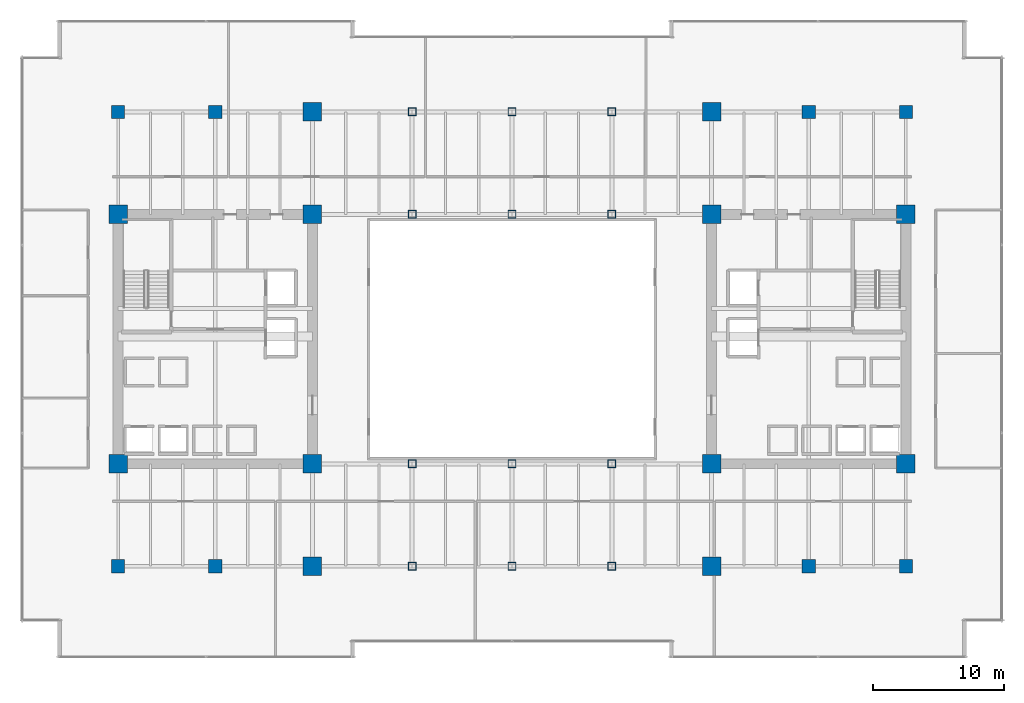
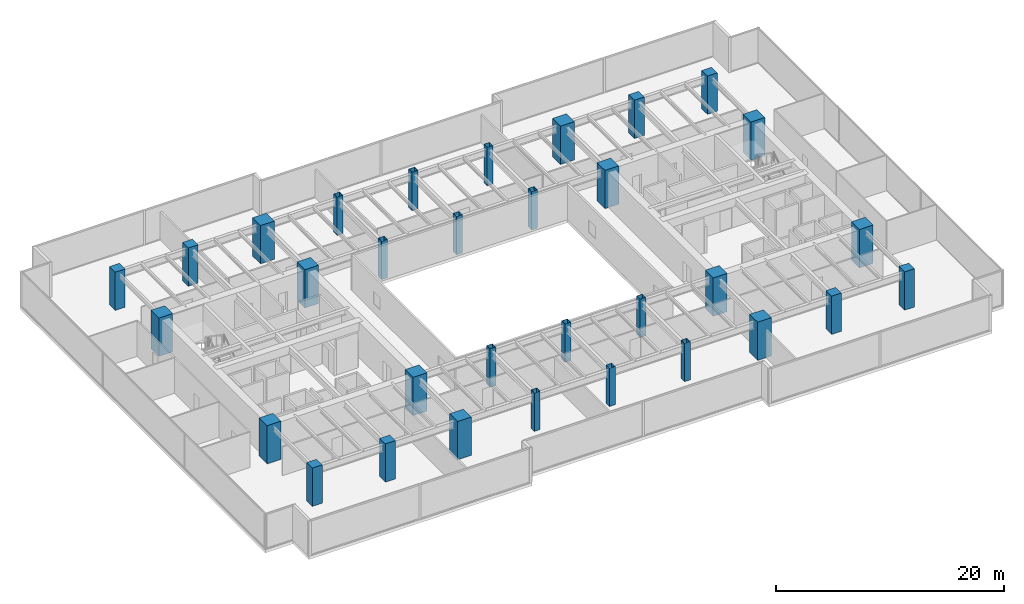
# One storey, part 1 of 35: 32 columns.
"""IFC4 building model written with IfcOpenShell, lengths in metres."""

from ifc_helpers import new_model, si_unit, direction, frame, origin, origin_2d, place, context, subcontext, project, spatial, rectangle, hollow_rectangle, extrude, source, transform, mapped, material, material_profile, profile_set, type_object, type_shapes, element, save


model = new_model("IFC4")

# Units and contexts
model_context = context("Model", 3, precision=1e-05, world=origin(), true_north=direction((0.0, 1.0)))
body_context = subcontext(model_context, "Body", "Model", "MODEL_VIEW")
ifc_project = project(units=[si_unit("LENGTHUNIT", "METRE"), si_unit("AREAUNIT", "SQUARE_METRE"), si_unit("VOLUMEUNIT", "CUBIC_METRE"), si_unit("PLANEANGLEUNIT", "RADIAN"), si_unit("MASSUNIT", "GRAM", prefix="KILO")], contexts=[model_context])

# Site, building, storey
site_placement = place(None, origin())
site = spatial("IfcSite", under=ifc_project, at=site_placement, CompositionType="ELEMENT")
building_placement = place(site_placement, origin())
building = spatial("IfcBuilding", under=site, at=building_placement, Name="Haelvirn Gate Laboratories", CompositionType="ELEMENT")
storey_placement = place(building_placement, frame((0.0, 0.0, 37.5)))
storey = spatial("IfcBuildingStorey", under=building, at=storey_placement, Name="L09", CompositionType="ELEMENT", Elevation=37.5)

# Columns
ifc_material_1 = material(Name="Concrete C60/75", Category="concrete")
ifc_material_profile_1 = material_profile(ifc_material_1, rectangle(XDim=1.0, YDim=1.0, at=origin_2d()), Name="RC-1000x1000")
ifc_profile_set_1 = profile_set([ifc_material_profile_1], Name="Concrete C60/75")
column_type_1 = type_object("IfcColumnType", Name="COL-RC-1000", PredefinedType="COLUMN", material=ifc_profile_set_1)
shared_shape_1 = source(origin(), body_context, "Body", "SweptSolid", [
    extrude(rectangle(XDim=1.0, YDim=1.0, at=origin_2d()), origin(), (0.0, 0.0, 1.0), 4.10009765625),
])
type_shapes(column_type_1, [shared_shape_1])
for number, where, z_axis, x_axis, name in (
    (1, (14.800048828125, 7.0, 0.0), (0.0, 0.0, 1.0), (1.0, 0.0, 0.0), "L09 Column 3B"),
    (2, (14.800048828125, 41.60009765625, 0.0), (0.0, 0.0, 1.0), (1.0, 0.0, 0.0), "L09 Column 3G"),
    (3, (60.0, 7.0, 0.0), (0.0, 0.0, 1.0), (1.0, 0.0, 0.0), "L09 Column 9B"),
    (4, (60.0, 41.60009765625, 0.0), (0.0, 0.0, 1.0), (1.0, 0.0, 0.0), "L09 Column 9G"),
    (5, (7.39990234375, 7.0, 0.0), (0.0, 0.0, 1.0), (1.0, 0.0, 0.0), "L09 Column 2B"),
    (6, (7.39990234375, 41.60009765625, 0.0), (0.0, 0.0, 1.0), (1.0, 0.0, 0.0), "L09 Column 2G"),
    (7, (67.39990234375, 7.0, 0.0), (0.0, 0.0, 1.0), (1.0, 0.0, 0.0), "L09 Column 10B"),
    (8, (67.39990234375, 41.60009765625, 0.0), (0.0, 0.0, 1.0), (1.0, 0.0, 0.0), "L09 Column 10G"),
):
    element("IfcColumn", number, at=place(storey_placement, frame(where, z_axis=z_axis, x_axis=x_axis)), inside=storey, type_object=column_type_1, Name=name, PredefinedType="COLUMN", context=body_context, shape_type="MappedRepresentation", body=[
        mapped(shared_shape_1, transform((0.0, 0.0, 0.0), scale=1.0)),
    ])
ifc_material_2 = material(Name="Concrete C70/85", Category="concrete")
ifc_material_profile_2 = material_profile(ifc_material_2, rectangle(XDim=1.39990234375, YDim=1.39990234375, at=origin_2d()), Name="SRC-1400x1400")
ifc_profile_set_2 = profile_set([ifc_material_profile_2], Name="Concrete C70/85")
column_type_2 = type_object("IfcColumnType", Name="COL-SRC-1400", PredefinedType="COLUMN", material=ifc_profile_set_2)
shared_shape_2 = source(origin(), body_context, "Body", "SweptSolid", [
    extrude(rectangle(XDim=1.39990234375, YDim=1.39990234375, at=origin_2d()), origin(), (0.0, 0.0, 1.0), 4.10009765625),
])
type_shapes(column_type_2, [shared_shape_2])
for number, where, z_axis, x_axis, name in (
    (9, (22.199951171875, 7.0, 0.0), (0.0, 0.0, 1.0), (1.0, 0.0, 0.0), "L09 Column 4B"),
    (10, (7.39990234375, 14.800048828125, 0.0), (0.0, 0.0, 1.0), (1.0, 0.0, 0.0), "L09 Column 2C"),
    (11, (22.199951171875, 14.800048828125, 0.0), (0.0, 0.0, 1.0), (1.0, 0.0, 0.0), "L09 Column 4C"),
    (12, (7.39990234375, 33.800048828125, 0.0), (0.0, 0.0, 1.0), (1.0, 0.0, 0.0), "L09 Column 2F"),
    (13, (22.199951171875, 33.800048828125, 0.0), (0.0, 0.0, 1.0), (1.0, 0.0, 0.0), "L09 Column 4F"),
    (14, (22.199951171875, 41.60009765625, 0.0), (0.0, 0.0, 1.0), (1.0, 0.0, 0.0), "L09 Column 4G"),
    (15, (52.60009765625, 7.0, 0.0), (0.0, 0.0, 1.0), (1.0, 0.0, 0.0), "L09 Column 8B"),
    (16, (52.60009765625, 14.800048828125, 0.0), (0.0, 0.0, 1.0), (1.0, 0.0, 0.0), "L09 Column 8C"),
    (17, (67.39990234375, 14.800048828125, 0.0), (0.0, 0.0, 1.0), (1.0, 0.0, 0.0), "L09 Column 10C"),
    (18, (52.60009765625, 33.800048828125, 0.0), (0.0, 0.0, 1.0), (1.0, 0.0, 0.0), "L09 Column 8F"),
    (19, (67.39990234375, 33.800048828125, 0.0), (0.0, 0.0, 1.0), (1.0, 0.0, 0.0), "L09 Column 10F"),
    (20, (52.60009765625, 41.60009765625, 0.0), (0.0, 0.0, 1.0), (1.0, 0.0, 0.0), "L09 Column 8G"),
):
    element("IfcColumn", number, at=place(storey_placement, frame(where, z_axis=z_axis, x_axis=x_axis)), inside=storey, type_object=column_type_2, Name=name, PredefinedType="COLUMN", context=body_context, shape_type="MappedRepresentation", body=[
        mapped(shared_shape_2, transform((0.0, 0.0, 0.0), scale=1.0)),
    ])
ifc_material_3 = material(Name="Steel SM420", Category="steel")
ifc_material_profile_3 = material_profile(ifc_material_3, hollow_rectangle(XDim=0.60009765625, YDim=0.60009765625, WallThickness=0.028076171875, at=origin_2d()), Name="BOX-600x600x28")
ifc_profile_set_3 = profile_set([ifc_material_profile_3], Name="Steel SM420")
column_type_3 = type_object("IfcColumnType", Name="COL-BOX-600", PredefinedType="COLUMN", material=ifc_profile_set_3)
shared_shape_3 = source(origin(), body_context, "Body", "SweptSolid", [
    extrude(hollow_rectangle(XDim=0.60009765625, YDim=0.60009765625, WallThickness=0.028076171875, at=origin_2d()), origin(), (0.0, 0.0, 1.0), 4.10009765625),
])
type_shapes(column_type_3, [shared_shape_3])
for number, where, z_axis, x_axis, name in (
    (21, (29.800048828125, 7.0, 0.0), (0.0, 0.0, 1.0), (1.0, 0.0, 0.0), "L09 Column 5B"),
    (22, (29.800048828125, 14.800048828125, 0.0), (0.0, 0.0, 1.0), (1.0, 0.0, 0.0), "L09 Column 5C"),
    (23, (29.800048828125, 33.800048828125, 0.0), (0.0, 0.0, 1.0), (1.0, 0.0, 0.0), "L09 Column 5F"),
    (24, (29.800048828125, 41.60009765625, 0.0), (0.0, 0.0, 1.0), (1.0, 0.0, 0.0), "L09 Column 5G"),
    (25, (37.39990234375, 7.0, 0.0), (0.0, 0.0, 1.0), (1.0, 0.0, 0.0), "L09 Column 6B"),
    (26, (37.39990234375, 14.800048828125, 0.0), (0.0, 0.0, 1.0), (1.0, 0.0, 0.0), "L09 Column 6C"),
    (27, (37.39990234375, 33.800048828125, 0.0), (0.0, 0.0, 1.0), (1.0, 0.0, 0.0), "L09 Column 6F"),
    (28, (37.39990234375, 41.60009765625, 0.0), (0.0, 0.0, 1.0), (1.0, 0.0, 0.0), "L09 Column 6G"),
    (29, (45.0, 7.0, 0.0), (0.0, 0.0, 1.0), (1.0, 0.0, 0.0), "L09 Column 7B"),
    (30, (45.0, 14.800048828125, 0.0), (0.0, 0.0, 1.0), (1.0, 0.0, 0.0), "L09 Column 7C"),
    (31, (45.0, 33.800048828125, 0.0), (0.0, 0.0, 1.0), (1.0, 0.0, 0.0), "L09 Column 7F"),
    (32, (45.0, 41.60009765625, 0.0), (0.0, 0.0, 1.0), (1.0, 0.0, 0.0), "L09 Column 7G"),
):
    element("IfcColumn", number, at=place(storey_placement, frame(where, z_axis=z_axis, x_axis=x_axis)), inside=storey, type_object=column_type_3, Name=name, PredefinedType="COLUMN", context=body_context, shape_type="MappedRepresentation", body=[
        mapped(shared_shape_3, transform((0.0, 0.0, 0.0), scale=1.0)),
    ])

save(model, "model.ifc")
